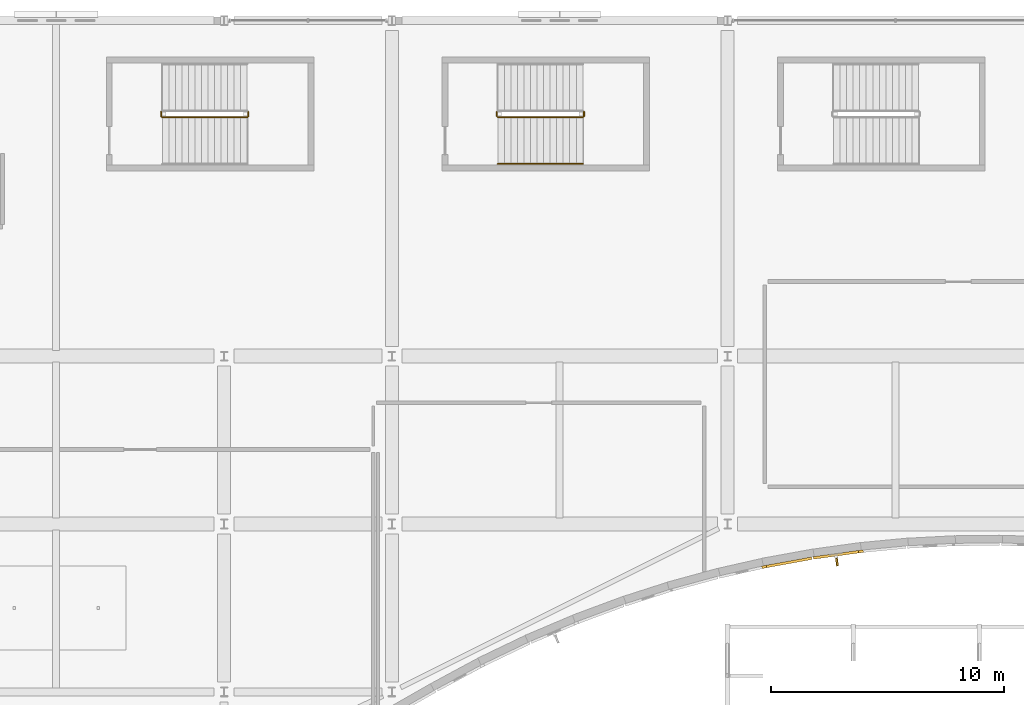
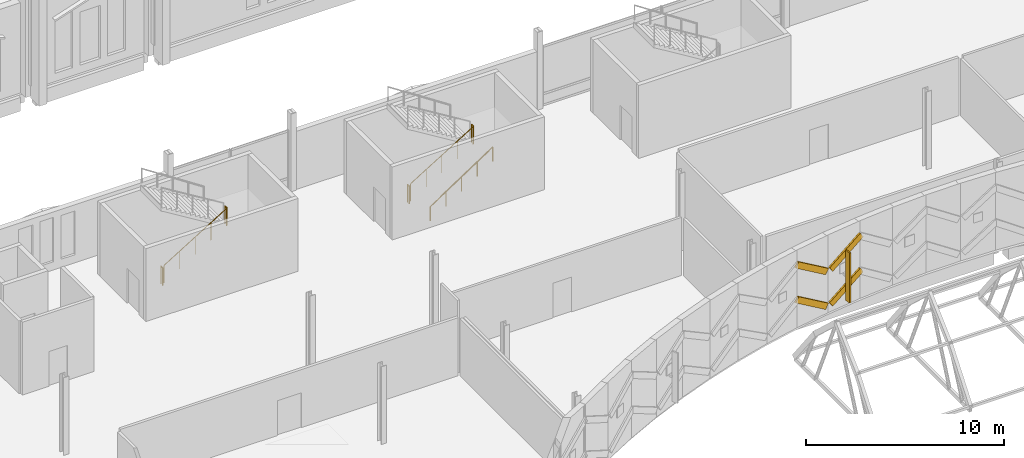
# One storey, part 198 of 220: 7 railings, 4 coverings, 1 shading device.
"""IFC4 building model written with IfcOpenShell, lengths in metres."""

from ifc_helpers import new_model, si_unit, direction, frame, origin, origin_2d, place, context, subcontext, project, spatial, polyline, rectangle, circle, outline, extrude, material, layer, layer_set, type_object, element, save


model = new_model("IFC4")

# Units and contexts
model_context = context("Model", 3, precision=1e-05, world=origin(), true_north=direction((0.0, 1.0)))
body_context = subcontext(model_context, "Body", "Model", "MODEL_VIEW")
ifc_project = project(units=[si_unit("LENGTHUNIT", "METRE"), si_unit("AREAUNIT", "SQUARE_METRE"), si_unit("VOLUMEUNIT", "CUBIC_METRE"), si_unit("PLANEANGLEUNIT", "RADIAN"), si_unit("MASSUNIT", "GRAM", prefix="KILO")], contexts=[model_context])

# Site, building, storey
site_placement = place(None, origin())
site = spatial("IfcSite", under=ifc_project, at=site_placement, CompositionType="ELEMENT")
building_placement = place(site_placement, origin())
building = spatial("IfcBuilding", under=site, at=building_placement, Name="Cendralis Lancet Convention Centre", CompositionType="ELEMENT")
storey_placement = place(building_placement, frame((0.0, 0.0, 5.39990234375)))
storey = spatial("IfcBuildingStorey", under=building, at=storey_placement, Name="L01", CompositionType="ELEMENT", Elevation=5.39990234375)

# Coverings
ifc_material_1 = material(Name="Warm buff sandstone chevron cassette", Category="masonry")
ifc_layer_1 = layer(ifc_material_1, 0.06005859375, Name="Warm buff sandstone chevron cassette")
ifc_layer_set_1 = layer_set([ifc_layer_1], Name="Warm buff sandstone chevron cassette")
covering_type_1 = type_object("IfcCoveringType", Name="ARC-CV-CLAD1", PredefinedType="CLADDING", material=ifc_layer_set_1)
covering_1_placement = place(storey_placement, frame((95.27294921875, 12.5234375, 1.9501953125), z_axis=(0.540218512376, 0.098775845378, 0.835707658967), x_axis=(0.822163228386, 0.149849870904, -0.549174509678)))
element("IfcCovering", 1, at=covering_1_placement, inside=storey, type_object=covering_type_1, Name="L01 Diagonal Stone Chevron Relief CL-ST1 #0283", PredefinedType="CLADDING", context=body_context, shape_type="SweptSolid", body=[
    extrude(outline(polyline([(0.0, 0.0), (2.36727816971473, 1.8106176280507924e-17), (2.3672264781402927, 0.10994732982150186), (-5.1691574437417315e-05, 0.10994732982150184), (0.0, 0.0)])), origin(), (0.0, 0.0, -1.0), 0.360107421875),
])
covering_2_placement = place(storey_placement, frame((97.286865234375, 12.888916015625, 0.650146484375), z_axis=(-0.546765283479, -0.075310335798, 0.833892126179), x_axis=(0.82603341527, 0.114214414067, 0.551927408703)))
element("IfcCovering", 2, at=covering_2_placement, inside=storey, type_object=covering_type_1, Name="L01 Diagonal Stone Chevron Relief CL-ST1 #0289", PredefinedType="CLADDING", context=body_context, shape_type="SweptSolid", body=[
    extrude(outline(polyline([(0.0, 0.0), (2.3555576306989456, -3.366447745567491e-17), (2.3555185123740348, 0.11017558658850715), (0.00013466561092919174, 0.10990034102061025), (0.0, 0.0)])), origin(), (0.0, 0.0, -1.0), 0.360107421875),
])
ifc_material_2 = material(Name="Dark Andean slate chevron cassette", Category="masonry")
ifc_layer_2 = layer(ifc_material_2, 0.06005859375, Name="Dark Andean slate chevron cassette")
ifc_layer_set_2 = layer_set([ifc_layer_2], Name="Dark Andean slate chevron cassette")
covering_type_2 = type_object("IfcCoveringType", Name="ARC-CV-CLAD2", PredefinedType="CLADDING", material=ifc_layer_set_2)
covering_3_placement = place(storey_placement, frame((95.27294921875, 12.5234375, 4.10009765625), z_axis=(0.540218512376, 0.098775845378, 0.835707658967), x_axis=(0.822163228386, 0.149849870904, -0.549174509678)))
element("IfcCovering", 3, at=covering_3_placement, inside=storey, type_object=covering_type_2, Name="L01 Diagonal Stone Chevron Relief CL-ST2 #0284", PredefinedType="CLADDING", context=body_context, shape_type="SweptSolid", body=[
    extrude(outline(polyline([(0.0, 0.0), (2.36727816971473, 1.8106176280507924e-17), (2.3672264781402927, 0.10994732982150186), (-5.1691574437417315e-05, 0.10994732982150184), (0.0, 0.0)])), origin(), (0.0, 0.0, -1.0), 0.360107421875),
])
covering_4_placement = place(storey_placement, frame((97.286865234375, 12.888916015625, 2.800048828125), z_axis=(-0.546765283479, -0.075310335798, 0.833892126179), x_axis=(0.82603341527, 0.114214414067, 0.551927408703)))
element("IfcCovering", 4, at=covering_4_placement, inside=storey, type_object=covering_type_2, Name="L01 Diagonal Stone Chevron Relief CL-ST2 #0290", PredefinedType="CLADDING", context=body_context, shape_type="SweptSolid", body=[
    extrude(outline(polyline([(0.0, 0.0), (2.3555576306989456, -3.366447745567491e-17), (2.3555185123740348, 0.11017558658850715), (0.00013466561092919174, 0.10990034102061025), (0.0, 0.0)])), origin(), (0.0, 0.0, -1.0), 0.360107421875),
])

# Railings
ifc_material_3 = material(Name="Steel S355", Category="steel")
railing_type_1 = type_object("IfcRailingType", Name="ARC-RL-CGD", PredefinedType="GUARDRAIL", material=ifc_material_3)
railing_1_placement = place(storey_placement, frame((69.35009765625, 31.85009765625, 0.171630859375)))
element("IfcRailing", 5, at=railing_1_placement, inside=storey, type_object=railing_type_1, Name="L01 ST-12 stair guard 1", PredefinedType="GUARDRAIL", context=body_context, shape_type="SweptSolid", body=[
    extrude(circle(Radius=0.02392578125, at=origin_2d()), frame((0.0, 0.0, 1.076171875), z_axis=(0.852850264322, 0.0, 0.5221555579), x_axis=(0.0, 1.0, 0.0)), (0.0, 0.0, 1.0), 4.267822265625),
    extrude(circle(Radius=0.02099609375, at=origin_2d()), origin(), (0.0, 0.0, 1.0), 1.052001953125),
    extrude(circle(Radius=0.02099609375, at=origin_2d()), frame((0.909912109375, 0.0, 0.55712890625)), (0.0, 0.0, 1.0), 1.052001953125),
    extrude(circle(Radius=0.02099609375, at=origin_2d()), frame((1.81982421875, 0.0, 1.1142578125)), (0.0, 0.0, 1.0), 1.052001953125),
    extrude(circle(Radius=0.02099609375, at=origin_2d()), frame((2.72998046875, 0.0, 1.67138671875)), (0.0, 0.0, 1.0), 1.052001953125),
    extrude(circle(Radius=0.02099609375, at=origin_2d()), frame((3.639892578125, 0.0, 2.228515625)), (0.0, 0.0, 1.0), 1.052001953125),
])
for number, where, name in (
    (6, (73.0400390625, 31.89990234375, 2.400146484375), "L01 ST-12 stair guard 2"),
    (7, (69.300048828125, 31.89990234375, 0.0), "L01 ST-12 stair guard 4"),
):
    element("IfcRailing", number, at=place(storey_placement, frame(where)), inside=storey, type_object=railing_type_1, Name=name, PredefinedType="GUARDRAIL", context=body_context, shape_type="SweptSolid", body=[
        extrude(circle(Radius=0.02392578125, at=origin_2d()), frame((0.0, 0.0, 1.076171875), z_axis=(0.0, 1.0, 0.0), x_axis=(-1.0, 0.0, 0.0)), (0.0, 0.0, 1.0), 0.18017578125),
        extrude(circle(Radius=0.02099609375, at=origin_2d()), origin(), (0.0, 0.0, 1.0), 1.052001953125),
        extrude(circle(Radius=0.02099609375, at=origin_2d()), frame((0.0, 0.18017578125, 0.0)), (0.0, 0.0, 1.0), 1.052001953125),
    ])
railing_2_placement = place(storey_placement, frame((83.75, 31.85009765625, 0.171630859375)))
element("IfcRailing", 8, at=railing_2_placement, inside=storey, type_object=railing_type_1, Name="L01 ST-21 stair guard 1", PredefinedType="GUARDRAIL", context=body_context, shape_type="SweptSolid", body=[
    extrude(circle(Radius=0.02392578125, at=origin_2d()), frame((0.0, 0.0, 1.076171875), z_axis=(0.852850264322, 0.0, 0.5221555579), x_axis=(0.0, 1.0, 0.0)), (0.0, 0.0, 1.0), 4.267822265625),
    extrude(circle(Radius=0.02099609375, at=origin_2d()), origin(), (0.0, 0.0, 1.0), 1.052001953125),
    extrude(circle(Radius=0.02099609375, at=origin_2d()), frame((0.909912109375, 0.0, 0.55712890625)), (0.0, 0.0, 1.0), 1.052001953125),
    extrude(circle(Radius=0.02099609375, at=origin_2d()), frame((1.81982421875, 0.0, 1.1142578125)), (0.0, 0.0, 1.0), 1.052001953125),
    extrude(circle(Radius=0.02099609375, at=origin_2d()), frame((2.72998046875, 0.0, 1.67138671875)), (0.0, 0.0, 1.0), 1.052001953125),
    extrude(circle(Radius=0.02099609375, at=origin_2d()), frame((3.639892578125, 0.0, 2.228515625)), (0.0, 0.0, 1.0), 1.052001953125),
])
for number, where, name in (
    (9, (87.43994140625, 31.89990234375, 2.400146484375), "L01 ST-21 stair guard 2"),
    (10, (83.699951171875, 31.89990234375, 0.0), "L01 ST-21 stair guard 4"),
):
    element("IfcRailing", number, at=place(storey_placement, frame(where)), inside=storey, type_object=railing_type_1, Name=name, PredefinedType="GUARDRAIL", context=body_context, shape_type="SweptSolid", body=[
        extrude(circle(Radius=0.02392578125, at=origin_2d()), frame((0.0, 0.0, 1.076171875), z_axis=(0.0, 1.0, 0.0), x_axis=(-1.0, 0.0, 0.0)), (0.0, 0.0, 1.0), 0.18017578125),
        extrude(circle(Radius=0.02099609375, at=origin_2d()), origin(), (0.0, 0.0, 1.0), 1.052001953125),
        extrude(circle(Radius=0.02099609375, at=origin_2d()), frame((0.0, 0.18017578125, 0.0)), (0.0, 0.0, 1.0), 1.052001953125),
    ])
railing_type_2 = type_object("IfcRailingType", Name="ARC-RL-CHR", PredefinedType="HANDRAIL", material=ifc_material_3)
railing_3_placement = place(storey_placement, frame((83.75, 29.85009765625, 0.171630859375)))
element("IfcRailing", 11, at=railing_3_placement, inside=storey, type_object=railing_type_2, Name="L01 ST-21 stair handrail 1", PredefinedType="HANDRAIL", context=body_context, shape_type="SweptSolid", body=[
    extrude(circle(Radius=0.02392578125, at=origin_2d()), frame((0.0, 0.0, 0.8759765625), z_axis=(0.834865213223, 0.0, 0.550454426587), x_axis=(0.0, 1.0, 0.0)), (0.0, 0.0, 1.0), 4.35986328125),
    extrude(circle(Radius=0.02099609375, at=origin_2d()), origin(), (0.0, 0.0, 1.0), 0.851806640625),
    extrude(circle(Radius=0.02099609375, at=origin_2d()), frame((0.909912109375, 0.0, 0.60009765625)), (0.0, 0.0, 1.0), 0.851806640625),
    extrude(circle(Radius=0.02099609375, at=origin_2d()), frame((1.81982421875, 0.0, 1.199951171875)), (0.0, 0.0, 1.0), 0.851806640625),
    extrude(circle(Radius=0.02099609375, at=origin_2d()), frame((2.72998046875, 0.0, 1.7998046875)), (0.0, 0.0, 1.0), 0.851806640625),
    extrude(circle(Radius=0.02099609375, at=origin_2d()), frame((3.639892578125, 0.0, 2.39990234375)), (0.0, 0.0, 1.0), 0.851806640625),
])

# Shading device
ifc_material_4 = material(Name="Anodised bronze architectural aluminium", Category="aluminium")
shading_device_type = type_object("IfcShadingDeviceType", Name="ARC-SH-FIN1", PredefinedType="USERDEFINED", material=ifc_material_4)
shading_device_placement = place(storey_placement, frame((98.294677734375, 12.77099609375, 0.449951171875), z_axis=(0.0, 0.0, 1.0), x_axis=(0.990576513035, 0.136960475405, 0.0)))
element("IfcShadingDevice", 12, at=shading_device_placement, inside=storey, type_object=shading_device_type, Name="Anodised Bronze Lancet Solar Fin SF-01 #017", ObjectType="FIN", PredefinedType="USERDEFINED", context=body_context, shape_type="SweptSolid", body=[
    extrude(rectangle(XDim=0.080078125, YDim=0.340087890625, at=origin_2d()), origin(), (0.0, 0.0, 1.0), 3.10009765625),
])

save(model, "model.ifc")
